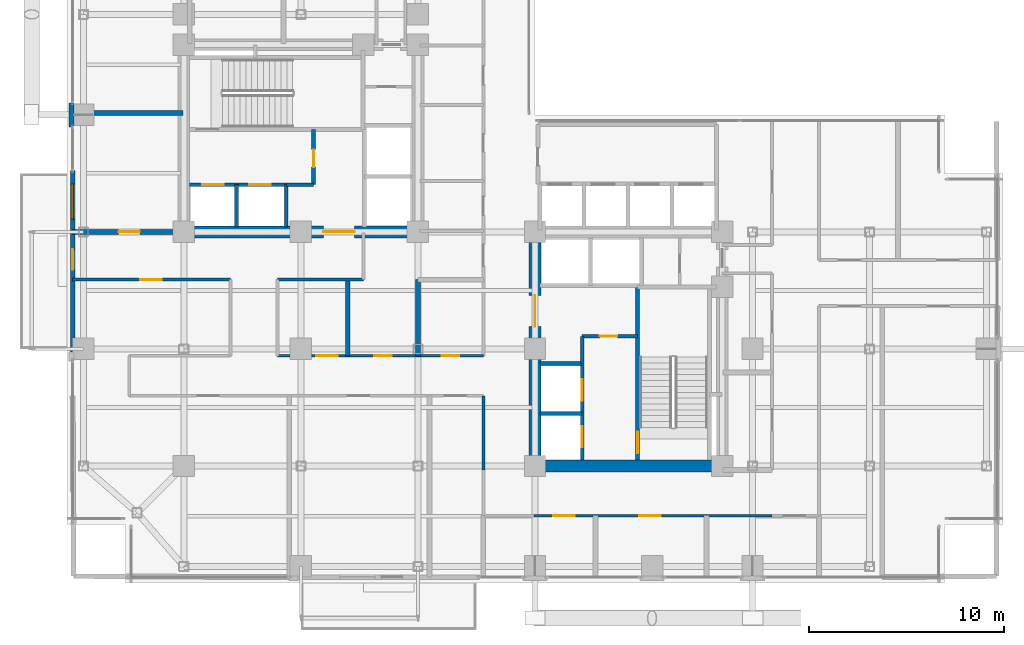
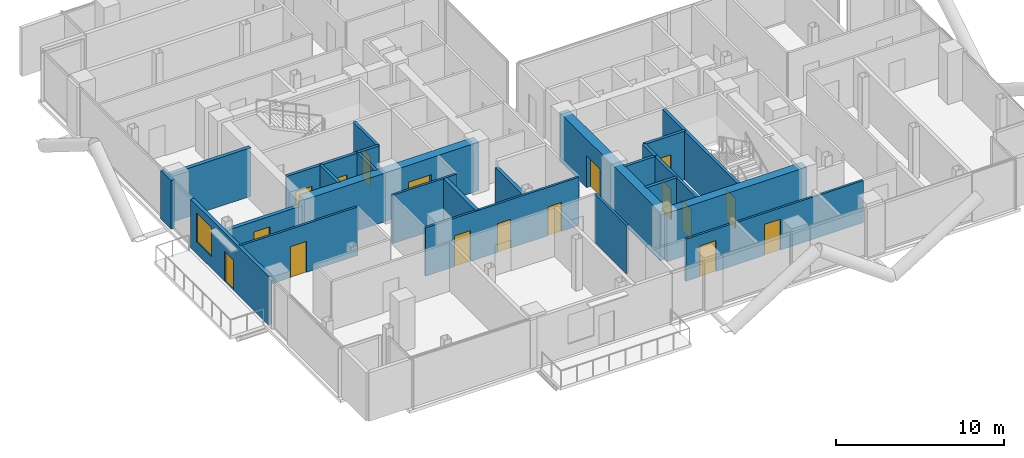
# One storey, part 19 of 24: 25 walls, 17 doors, 1 window, 18 openings.
"""IFC4 building model written with IfcOpenShell, lengths in metres."""

from ifc_helpers import new_model, si_unit, direction, frame, frame_2d, origin, place, context, subcontext, project, spatial, rectangle, extrude, material, layer, layer_set, type_object, element, fill, save


model = new_model("IFC4")

# Units and contexts
model_context = context("Model", 3, precision=1e-05, world=origin(), true_north=direction((0.0, 1.0)))
body_context = subcontext(model_context, "Body", "Model", "MODEL_VIEW")
ifc_project = project(units=[si_unit("LENGTHUNIT", "METRE"), si_unit("AREAUNIT", "SQUARE_METRE"), si_unit("VOLUMEUNIT", "CUBIC_METRE"), si_unit("PLANEANGLEUNIT", "RADIAN"), si_unit("MASSUNIT", "GRAM", prefix="KILO"), si_unit("THERMODYNAMICTEMPERATUREUNIT", "KELVIN"), si_unit("POWERUNIT", "WATT")], contexts=[model_context])

# Site, building, storey
site_placement = place(None, origin())
site = spatial("IfcSite", under=ifc_project, at=site_placement, CompositionType="ELEMENT")
building_placement = place(site_placement, origin())
building = spatial("IfcBuilding", under=site, at=building_placement, Name="Svarakhadi Broadcast Tower", CompositionType="ELEMENT")
storey_placement = place(building_placement, frame((0.0, 0.0, 130.64990234375)))
storey = spatial("IfcBuildingStorey", under=building, at=storey_placement, Name="L31", CompositionType="ELEMENT", Elevation=130.64990234375)

# Walls
ifc_material_1 = material(Name="Double-Stud Acoustic Studio Partition STC-62", Category="gypsum")
ifc_layer_1 = layer(ifc_material_1, 0.25)
ifc_layer_set_1 = layer_set([ifc_layer_1], Name="Double-Stud Acoustic Studio Partition STC-62")
wall_type_1 = type_object("IfcWallType", Name="Wall_Acoust_250", PredefinedType="PARTITIONING", material=ifc_layer_set_1)
wall_1_placement = place(storey_placement, frame((14.39990234375, 11.64990234375, 0.0), z_axis=(0.0, 0.0, 1.0), x_axis=(0.0, 1.0, 0.0)))
element("IfcWall", 1, at=wall_1_placement, inside=storey, type_object=wall_type_1, Name="L31 Acoustic Huddle Booth Wall", PredefinedType="PARTITIONING", context=body_context, shape_type="SweptSolid", body=[
    extrude(rectangle(XDim=3.900146484375, YDim=0.25, at=frame_2d((1.9501953125, 0.0))), origin(), (0.0, 0.0, 1.0), 3.525146484375),
])
wall_2_placement = place(storey_placement, frame((18.0, 11.64990234375, 0.0), z_axis=(0.0, 0.0, 1.0), x_axis=(0.0, 1.0, 0.0)))
element("IfcWall", 2, at=wall_2_placement, inside=storey, type_object=wall_type_1, Name="L31 Tea Bar Pantry Wall", PredefinedType="PARTITIONING", context=body_context, shape_type="SweptSolid", body=[
    extrude(rectangle(XDim=3.900146484375, YDim=0.25, at=frame_2d((1.9501953125, 0.0))), origin(), (0.0, 0.0, 1.0), 3.01708984375),
])

# Wall, opening, door
wall_3_placement = place(storey_placement, frame((0.300048828125, 18.0, 0.0), z_axis=(0.0, 0.0, 1.0), x_axis=(1.0, 0.0, 0.0)))
wall_3 = element("IfcWall", 3, at=wall_3_placement, inside=storey, type_object=wall_type_1, Name="L31 Arabian Sea Executive Studio Wall", PredefinedType="PARTITIONING", context=body_context, shape_type="SweptSolid", body=[
    extrude(rectangle(XDim=5.64990234375, YDim=0.25, at=frame_2d((2.824951171875, 0.0))), origin(), (0.0, 0.0, 1.0), 3.01708984375),
])
opening_1_placement = place(wall_3_placement, frame((2.35009765625, 0.0, 0.0)))
opening_1 = element("IfcOpeningElement", 4, at=opening_1_placement, cuts=wall_3, Name="Opening D-11", PredefinedType="OPENING", context=body_context, shape_type="SweptSolid", body=[
    extrude(rectangle(XDim=1.10009765625, YDim=2.25, at=frame_2d((0.550048828125, 1.125))), frame((0.0, 0.135009765625, 0.0), z_axis=(0.0, -1.0, 0.0), x_axis=(1.0, 0.0, 0.0)), (0.0, 0.0, 1.0), 0.27001953125),
])
ifc_material_2 = material(Name="Solid-Core Teak Veneer Acoustic Timber Leaf", Category="wood")
door_type_1 = type_object("IfcDoorType", Name="Door_Acoust_D11", OperationType="SINGLE_SWING_RIGHT", PredefinedType="DOOR", material=ifc_material_2)
door_1_placement = place(opening_1_placement, origin())
door_1 = element("IfcDoor", 5, at=door_1_placement, inside=storey, type_object=door_type_1, Name="L31 Arabian Sea Executive Studio Door", OperationType="SINGLE_SWING_RIGHT", OverallHeight=2.25, OverallWidth=1.10009765625, PredefinedType="DOOR", context=body_context, shape_type="SweptSolid", body=[
    extrude(rectangle(XDim=1.10009765625, YDim=2.25, at=frame_2d((0.550048828125, 1.125))), frame((0.0, 0.02490234375, 0.0), z_axis=(0.0, -1.0, 0.0), x_axis=(1.0, 0.0, 0.0)), (0.0, 0.0, 1.0), 0.050048828125),
])
fill(opening_1, door_1)

# Wall
wall_4_placement = place(storey_placement, frame((0.300048828125, 24.10009765625, 0.0), z_axis=(0.0, 0.0, 1.0), x_axis=(1.0, 0.0, 0.0)))
element("IfcWall", 6, at=wall_4_placement, inside=storey, type_object=wall_type_1, Name="L31 Arabian Sea Executive Studio Wall", PredefinedType="PARTITIONING", context=body_context, shape_type="SweptSolid", body=[
    extrude(rectangle(XDim=5.64990234375, YDim=0.25, at=frame_2d((2.824951171875, 0.0))), origin(), (0.0, 0.0, 1.0), 3.525146484375),
])

# Wall, openings, door, window
ifc_material_3 = material(Name="Concrete C40/50 (IS 456 M50)", Category="concrete")
ifc_layer_2 = layer(ifc_material_3, 0.239990234375)
ifc_layer_set_2 = layer_set([ifc_layer_2], Name="Concrete C40/50 (IS 456 M50)")
wall_type_2 = type_object("IfcWallType", Name="Wall_Ext_240", PredefinedType="SOLIDWALL", material=ifc_layer_set_2)
wall_5_placement = place(storey_placement, frame((0.300048828125, 11.85498046875, 0.0), z_axis=(0.0, 0.0, 1.0), x_axis=(0.0, 1.0, 0.0)))
wall_5 = element("IfcWall", 7, at=wall_5_placement, inside=storey, type_object=wall_type_2, Name="L31 West Tree Balcony Spandrel Wall", PredefinedType="SOLIDWALL", context=body_context, shape_type="SweptSolid", body=[
    extrude(rectangle(XDim=9.2900390625, YDim=0.239990234375, at=frame_2d((4.64501953125, 0.0))), origin(), (0.0, 0.0, 1.0), 3.525146484375),
])
opening_2_placement = place(wall_5_placement, frame((4.199951171875, 0.0, 0.0)))
opening_2 = element("IfcOpeningElement", 8, at=opening_2_placement, cuts=wall_5, Name="Opening ED-06", PredefinedType="OPENING", context=body_context, shape_type="SweptSolid", body=[
    extrude(rectangle(XDim=1.050048828125, YDim=2.199951171875, at=frame_2d((0.52490234375, 1.10009765625))), frame((0.0, 0.1298828125, 0.0), z_axis=(0.0, -1.0, 0.0), x_axis=(1.0, 0.0, 0.0)), (0.0, 0.0, 1.0), 0.260009765625),
])
opening_3_placement = place(wall_5_placement, frame((6.800048828125, 0.0, 0.85009765625)))
opening_3 = element("IfcOpeningElement", 9, at=opening_3_placement, cuts=wall_5, Name="Opening WN-02", PredefinedType="OPENING", context=body_context, shape_type="SweptSolid", body=[
    extrude(rectangle(XDim=1.800048828125, YDim=2.10009765625, at=frame_2d((0.89990234375, 1.050048828125))), frame((0.0, 0.1298828125, 0.0), z_axis=(0.0, -1.0, 0.0), x_axis=(1.0, 0.0, 0.0)), (0.0, 0.0, 1.0), 0.260009765625),
])
ifc_material_4 = material(Name="Anodised Bronze Aluminium AA 6063-T6", Category="aluminium")
door_type_2 = type_object("IfcDoorType", Name="Door_Ext_ED06", OperationType="SINGLE_SWING_RIGHT", PredefinedType="DOOR", material=ifc_material_4)
door_2_placement = place(opening_2_placement, origin())
door_2 = element("IfcDoor", 10, at=door_2_placement, inside=storey, type_object=door_type_2, Name="L31 West Tree Balcony Door", OperationType="SINGLE_SWING_RIGHT", OverallHeight=2.199951171875, OverallWidth=1.050048828125, PredefinedType="DOOR", context=body_context, shape_type="SweptSolid", body=[
    extrude(rectangle(XDim=1.050048828125, YDim=2.199951171875, at=frame_2d((0.52490234375, 1.10009765625))), frame((0.0, 0.02490234375, 0.0), z_axis=(0.0, -1.0, 0.0), x_axis=(1.0, 0.0, 0.0)), (0.0, 0.0, 1.0), 0.050048828125),
])
fill(opening_2, door_2)
ifc_material_5 = material(Name="Double Low-E Laminated Acoustic Glass IGU 36 mm", Category="glass")
window_type = type_object("IfcWindowType", Name="Win_Fixed_WN02", PartitioningType="SINGLE_PANEL", PredefinedType="WINDOW", material=ifc_material_5)
window_placement = place(opening_3_placement, origin())
window = element("IfcWindow", 11, at=window_placement, inside=storey, type_object=window_type, Name="L31 West Tree Balcony Window", OverallHeight=2.10009765625, OverallWidth=1.800048828125, PartitioningType="SINGLE_PANEL", PredefinedType="WINDOW", context=body_context, shape_type="SweptSolid", body=[
    extrude(rectangle(XDim=1.800048828125, YDim=2.10009765625, at=frame_2d((0.89990234375, 1.050048828125))), frame((0.0, 0.030029296875, 0.0), z_axis=(0.0, -1.0, 0.0), x_axis=(1.0, 0.0, 0.0)), (0.0, 0.0, 1.0), 0.06005859375),
])
fill(opening_3, window)

# Wall
wall_6_placement = place(storey_placement, frame((0.239990234375, 23.385009765625, 0.0), z_axis=(0.0, 0.0, 1.0), x_axis=(0.0, 1.0, 0.0)))
element("IfcWall", 12, at=wall_6_placement, inside=storey, type_object=wall_type_2, Name="L31 Perimeter Bronze Spandrel Closure Wall 02", PredefinedType="SOLIDWALL", context=body_context, shape_type="SweptSolid", body=[
    extrude(rectangle(XDim=1.22998046875, YDim=0.239990234375, at=frame_2d((0.614990234375, 0.0))), origin(), (0.0, 0.0, 1.0), 3.525146484375),
])

# Wall, openings, doors
ifc_material_6 = material(Name="Autoclaved Aerated Concrete Blockwork 150 mm", Category="masonry")
ifc_layer_3 = layer(ifc_material_6, 0.14990234375)
ifc_layer_set_3 = layer_set([ifc_layer_3], Name="Autoclaved Aerated Concrete Blockwork 150 mm")
wall_type_3 = type_object("IfcWallType", Name="Wall_Part_150", PredefinedType="PARTITIONING", material=ifc_layer_set_3)
wall_7_placement = place(storey_placement, frame((36.14990234375, 3.449951171875, 0.0), z_axis=(0.0, 0.0, 1.0), x_axis=(-1.0, 0.0, 0.0)))
wall_7 = element("IfcWall", 13, at=wall_7_placement, inside=storey, type_object=wall_type_3, Name="L31 Zone 2/3 Corridor Wall", PredefinedType="PARTITIONING", context=body_context, shape_type="SweptSolid", body=[
    extrude(rectangle(XDim=12.199951171875, YDim=0.14990234375, at=frame_2d((6.10009765625, 0.0))), origin(), (0.0, 0.0, 1.0), 3.067138671875),
])
opening_4_placement = place(wall_7_placement, frame((10.125, 0.0, 0.0)))
opening_4 = element("IfcOpeningElement", 14, at=opening_4_placement, cuts=wall_7, Name="Opening D-11", PredefinedType="OPENING", context=body_context, shape_type="SweptSolid", body=[
    extrude(rectangle(XDim=1.10009765625, YDim=2.25, at=frame_2d((0.550048828125, 1.125))), frame((0.0, 0.0849609375, 0.0), z_axis=(0.0, -1.0, 0.0), x_axis=(1.0, 0.0, 0.0)), (0.0, 0.0, 1.0), 0.169921875),
])
opening_5_placement = place(wall_7_placement, frame((5.699951171875, 0.0, 0.0)))
opening_5 = element("IfcOpeningElement", 15, at=opening_5_placement, cuts=wall_7, Name="Opening D-10", PredefinedType="OPENING", context=body_context, shape_type="SweptSolid", body=[
    extrude(rectangle(XDim=1.10009765625, YDim=2.25, at=frame_2d((0.550048828125, 1.125))), frame((0.0, 0.0849609375, 0.0), z_axis=(0.0, -1.0, 0.0), x_axis=(1.0, 0.0, 0.0)), (0.0, 0.0, 1.0), 0.169921875),
])
door_type_3 = type_object("IfcDoorType", Name="Door_Acoust_D10", OperationType="SINGLE_SWING_LEFT", PredefinedType="DOOR", material=ifc_material_2)
door_3_placement = place(opening_5_placement, origin())
door_3 = element("IfcDoor", 16, at=door_3_placement, inside=storey, type_object=door_type_3, Name="L31 Client Preview Briefing Room Door", OperationType="SINGLE_SWING_LEFT", OverallHeight=2.25, OverallWidth=1.10009765625, PredefinedType="DOOR", context=body_context, shape_type="SweptSolid", body=[
    extrude(rectangle(XDim=1.10009765625, YDim=2.25, at=frame_2d((0.550048828125, 1.125))), frame((0.0, 0.02490234375, 0.0), z_axis=(0.0, -1.0, 0.0), x_axis=(1.0, 0.0, 0.0)), (0.0, 0.0, 1.0), 0.050048828125),
])
fill(opening_5, door_3)
door_4_placement = place(opening_4_placement, origin())
door_4 = element("IfcDoor", 17, at=door_4_placement, inside=storey, type_object=door_type_1, Name="L31 Harbour Front Production Office Door", OperationType="SINGLE_SWING_RIGHT", OverallHeight=2.25, OverallWidth=1.10009765625, PredefinedType="DOOR", context=body_context, shape_type="SweptSolid", body=[
    extrude(rectangle(XDim=1.10009765625, YDim=2.25, at=frame_2d((0.550048828125, 1.125))), frame((0.0, 0.02490234375, 0.0), z_axis=(0.0, -1.0, 0.0), x_axis=(1.0, 0.0, 0.0)), (0.0, 0.0, 1.0), 0.050048828125),
])
fill(opening_4, door_4)

# Wall
wall_8_placement = place(storey_placement, frame((21.35009765625, 5.800048828125, 0.0), z_axis=(0.0, 0.0, 1.0), x_axis=(0.0, 1.0, 0.0)))
element("IfcWall", 18, at=wall_8_placement, inside=storey, type_object=wall_type_3, Name="L31 Zone 2/3 Corridor Wall", PredefinedType="PARTITIONING", context=body_context, shape_type="SweptSolid", body=[
    extrude(rectangle(XDim=3.800048828125, YDim=0.14990234375, at=frame_2d((1.89990234375, 0.0))), origin(), (0.0, 0.0, 1.0), 3.525146484375),
])

# Wall, opening, door
wall_9_placement = place(storey_placement, frame((8.39990234375, 15.550048828125, 0.0), z_axis=(0.0, 0.0, 1.0), x_axis=(-1.0, 0.0, 0.0)))
wall_9 = element("IfcWall", 19, at=wall_9_placement, inside=storey, type_object=wall_type_3, Name="L31 Zone 2/3 Corridor Wall", PredefinedType="PARTITIONING", context=body_context, shape_type="SweptSolid", body=[
    extrude(rectangle(XDim=8.099853515625, YDim=0.14990234375, at=frame_2d((4.0498046875, 0.0))), origin(), (0.0, 0.0, 1.0), 3.525146484375),
])
opening_6_placement = place(wall_9_placement, frame((3.52490234375, 0.0, 0.0)))
opening_6 = element("IfcOpeningElement", 20, at=opening_6_placement, cuts=wall_9, Name="Opening D-10", PredefinedType="OPENING", context=body_context, shape_type="SweptSolid", body=[
    extrude(rectangle(XDim=1.10009765625, YDim=2.25, at=frame_2d((0.550048828125, 1.125))), frame((0.0, 0.0849609375, 0.0), z_axis=(0.0, -1.0, 0.0), x_axis=(1.0, 0.0, 0.0)), (0.0, 0.0, 1.0), 0.169921875),
])
door_5_placement = place(opening_6_placement, origin())
door_5 = element("IfcDoor", 21, at=door_5_placement, inside=storey, type_object=door_type_3, Name="L31 VIP Talent Green Lounge Door", OperationType="SINGLE_SWING_LEFT", OverallHeight=2.25, OverallWidth=1.10009765625, PredefinedType="DOOR", context=body_context, shape_type="SweptSolid", body=[
    extrude(rectangle(XDim=1.10009765625, YDim=2.25, at=frame_2d((0.550048828125, 1.125))), frame((0.0, 0.02490234375, 0.0), z_axis=(0.0, -1.0, 0.0), x_axis=(1.0, 0.0, 0.0)), (0.0, 0.0, 1.0), 0.050048828125),
])
fill(opening_6, door_5)

# Wall
wall_10_placement = place(storey_placement, frame((15.199951171875, 15.550048828125, 0.0), z_axis=(0.0, 0.0, 1.0), x_axis=(-1.0, 0.0, 0.0)))
element("IfcWall", 22, at=wall_10_placement, inside=storey, type_object=wall_type_3, Name="L31 Zone 2/3 Corridor Wall", PredefinedType="PARTITIONING", context=body_context, shape_type="SweptSolid", body=[
    extrude(rectangle(XDim=4.39990234375, YDim=0.14990234375, at=frame_2d((2.199951171875, 0.0))), origin(), (0.0, 0.0, 1.0), 3.525146484375),
])

# Wall, openings, doors
wall_11_placement = place(storey_placement, frame((10.800048828125, 11.64990234375, 0.0), z_axis=(0.0, 0.0, 1.0), x_axis=(1.0, 0.0, 0.0)))
wall_11 = element("IfcWall", 23, at=wall_11_placement, inside=storey, type_object=wall_type_3, Name="L31 Zone 2/3 Corridor Wall", PredefinedType="PARTITIONING", context=body_context, shape_type="SweptSolid", body=[
    extrude(rectangle(XDim=10.550048828125, YDim=0.14990234375, at=frame_2d((5.27490234375, 0.0))), origin(), (0.0, 0.0, 1.0), 3.525146484375),
])
opening_7_placement = place(wall_11_placement, frame((1.97998046875, 0.0, 0.0)))
opening_7 = element("IfcOpeningElement", 24, at=opening_7_placement, cuts=wall_11, Name="Opening D-11", PredefinedType="OPENING", context=body_context, shape_type="SweptSolid", body=[
    extrude(rectangle(XDim=1.10009765625, YDim=2.25, at=frame_2d((0.550048828125, 1.125))), frame((0.0, 0.0849609375, 0.0), z_axis=(0.0, -1.0, 0.0), x_axis=(1.0, 0.0, 0.0)), (0.0, 0.0, 1.0), 0.169921875),
])
opening_8_placement = place(wall_11_placement, frame((4.949951171875, 0.0, 0.0)))
opening_8 = element("IfcOpeningElement", 25, at=opening_8_placement, cuts=wall_11, Name="Opening D-12", PredefinedType="OPENING", context=body_context, shape_type="SweptSolid", body=[
    extrude(rectangle(XDim=0.89990234375, YDim=2.10009765625, at=frame_2d((0.449951171875, 1.050048828125))), frame((0.0, 0.0849609375, 0.0), z_axis=(0.0, -1.0, 0.0), x_axis=(1.0, 0.0, 0.0)), (0.0, 0.0, 1.0), 0.169921875),
])
opening_9_placement = place(wall_11_placement, frame((8.425048828125, 0.0, 0.0)))
opening_9 = element("IfcOpeningElement", 26, at=opening_9_placement, cuts=wall_11, Name="Opening D-13", PredefinedType="OPENING", context=body_context, shape_type="SweptSolid", body=[
    extrude(rectangle(XDim=0.89990234375, YDim=2.10009765625, at=frame_2d((0.449951171875, 1.050048828125))), frame((0.0, 0.0849609375, 0.0), z_axis=(0.0, -1.0, 0.0), x_axis=(1.0, 0.0, 0.0)), (0.0, 0.0, 1.0), 0.169921875),
])
door_6_placement = place(opening_7_placement, origin())
door_6 = element("IfcDoor", 27, at=door_6_placement, inside=storey, type_object=door_type_1, Name="L31 Acoustic Huddle Booth Door", OperationType="SINGLE_SWING_RIGHT", OverallHeight=2.25, OverallWidth=1.10009765625, PredefinedType="DOOR", context=body_context, shape_type="SweptSolid", body=[
    extrude(rectangle(XDim=1.10009765625, YDim=2.25, at=frame_2d((0.550048828125, 1.125))), frame((0.0, 0.02490234375, 0.0), z_axis=(0.0, -1.0, 0.0), x_axis=(1.0, 0.0, 0.0)), (0.0, 0.0, 1.0), 0.050048828125),
])
fill(opening_7, door_6)
door_type_4 = type_object("IfcDoorType", Name="Door_Closet_D13", OperationType="SINGLE_SWING_RIGHT", PredefinedType="DOOR", material=ifc_material_2)
door_7_placement = place(opening_9_placement, origin())
door_7 = element("IfcDoor", 28, at=door_7_placement, inside=storey, type_object=door_type_4, Name="L31 Accessible Floor Washroom WC Door", OperationType="SINGLE_SWING_RIGHT", OverallHeight=2.10009765625, OverallWidth=0.89990234375, PredefinedType="DOOR", context=body_context, shape_type="SweptSolid", body=[
    extrude(rectangle(XDim=0.89990234375, YDim=2.10009765625, at=frame_2d((0.449951171875, 1.050048828125))), frame((0.0, 0.02490234375, 0.0), z_axis=(0.0, -1.0, 0.0), x_axis=(1.0, 0.0, 0.0)), (0.0, 0.0, 1.0), 0.050048828125),
])
fill(opening_9, door_7)
door_type_5 = type_object("IfcDoorType", Name="Door_WC_D01", OperationType="SINGLE_SWING_LEFT", PredefinedType="DOOR", material=ifc_material_2)
door_8_placement = place(opening_8_placement, origin())
door_8 = element("IfcDoor", 29, at=door_8_placement, inside=storey, type_object=door_type_5, Name="L31 Tea Bar Pantry Door", OperationType="SINGLE_SWING_LEFT", OverallHeight=2.10009765625, OverallWidth=0.89990234375, PredefinedType="DOOR", context=body_context, shape_type="SweptSolid", body=[
    extrude(rectangle(XDim=0.89990234375, YDim=2.10009765625, at=frame_2d((0.449951171875, 1.050048828125))), frame((0.0, 0.02490234375, 0.0), z_axis=(0.0, -1.0, 0.0), x_axis=(1.0, 0.0, 0.0)), (0.0, 0.0, 1.0), 0.050048828125),
])
fill(opening_8, door_8)

# Wall, opening, door
ifc_material_7 = material(Name="Concrete C50/60 (IS 456 M60)", Category="concrete")
ifc_layer_4 = layer(ifc_material_7, 0.199951171875)
ifc_layer_set_4 = layer_set([ifc_layer_4], Name="Concrete C50/60 (IS 456 M60)")
wall_type_4 = type_object("IfcWallType", Name="Wall_Shear_200", PredefinedType="SHEAR", material=ifc_layer_set_4)
wall_12_placement = place(storey_placement, frame((29.260009765625, 6.300048828125, 0.0), z_axis=(0.0, 0.0, 1.0), x_axis=(0.0, 1.0, 0.0)))
wall_12 = element("IfcWall", 30, at=wall_12_placement, inside=storey, type_object=wall_type_4, Name="L31 Stair ST-02 West RC Shaft Wall", PredefinedType="SHEAR", context=body_context, shape_type="SweptSolid", body=[
    extrude(rectangle(XDim=8.8798828125, YDim=0.199951171875, at=frame_2d((4.43994140625, 0.0))), origin(), (0.0, 0.0, 1.0), 3.525146484375),
])
opening_10_placement = place(wall_12_placement, frame((0.35009765625, 0.0, 0.0)))
opening_10 = element("IfcOpeningElement", 31, at=opening_10_placement, cuts=wall_12, Name="Opening D-02", PredefinedType="OPENING", context=body_context, shape_type="SweptSolid", body=[
    extrude(rectangle(XDim=1.10009765625, YDim=2.199951171875, at=frame_2d((0.550048828125, 1.10009765625))), frame((0.0, 0.10986328125, 0.0), z_axis=(0.0, -1.0, 0.0), x_axis=(1.0, 0.0, 0.0)), (0.0, 0.0, 1.0), 0.219970703125),
])
ifc_material_8 = material(Name="Galvanised Powder-Coated Fire-Rated Steel Leaf", Category="steel")
door_type_6 = type_object("IfcDoorType", Name="Door_Stair_D02", OperationType="SINGLE_SWING_RIGHT", PredefinedType="DOOR", material=ifc_material_8)
door_9_placement = place(opening_10_placement, origin())
door_9 = element("IfcDoor", 32, at=door_9_placement, inside=storey, type_object=door_type_6, Name="L31 Protected Exit Stair ST-02 Fire Door", OperationType="SINGLE_SWING_RIGHT", OverallHeight=2.199951171875, OverallWidth=1.10009765625, PredefinedType="DOOR", context=body_context, shape_type="SweptSolid", body=[
    extrude(rectangle(XDim=1.10009765625, YDim=2.199951171875, at=frame_2d((0.550048828125, 1.10009765625))), frame((0.0, 0.02490234375, 0.0), z_axis=(0.0, -1.0, 0.0), x_axis=(1.0, 0.0, 0.0)), (0.0, 0.0, 1.0), 0.050048828125),
])
fill(opening_10, door_9)

# Wall, openings, doors
wall_13_placement = place(storey_placement, frame((6.300048828125, 20.419921875, 0.0), z_axis=(0.0, 0.0, 1.0), x_axis=(1.0, 0.0, 0.0)))
wall_13 = element("IfcWall", 33, at=wall_13_placement, inside=storey, type_object=wall_type_4, Name="L31 Firefighting Lift LF-01/02 Shaft Wall", PredefinedType="SHEAR", context=body_context, shape_type="SweptSolid", body=[
    extrude(rectangle(XDim=4.949951171875, YDim=0.199951171875, at=frame_2d((2.47509765625, 0.0))), origin(), (0.0, 0.0, 1.0), 3.525146484375),
])
opening_11_placement = place(wall_13_placement, frame((0.64990234375, 0.0, 0.0)))
opening_11 = element("IfcOpeningElement", 34, at=opening_11_placement, cuts=wall_13, Name="Opening LD-01", PredefinedType="OPENING", context=body_context, shape_type="SweptSolid", body=[
    extrude(rectangle(XDim=1.10009765625, YDim=2.199951171875, at=frame_2d((0.550048828125, 1.10009765625))), frame((0.0, 0.10986328125, 0.0), z_axis=(0.0, -1.0, 0.0), x_axis=(1.0, 0.0, 0.0)), (0.0, 0.0, 1.0), 0.219970703125),
])
opening_12_placement = place(wall_13_placement, frame((3.050048828125, 0.0, 0.0)))
opening_12 = element("IfcOpeningElement", 35, at=opening_12_placement, cuts=wall_13, Name="Opening LD-01", PredefinedType="OPENING", context=body_context, shape_type="SweptSolid", body=[
    extrude(rectangle(XDim=1.10009765625, YDim=2.199951171875, at=frame_2d((0.550048828125, 1.10009765625))), frame((0.0, 0.10986328125, 0.0), z_axis=(0.0, -1.0, 0.0), x_axis=(1.0, 0.0, 0.0)), (0.0, 0.0, 1.0), 0.219970703125),
])
door_type_7 = type_object("IfcDoorType", Name="Door_Lift_LD01", OperationType="SLIDING_TO_LEFT", PredefinedType="DOOR", material=ifc_material_8)
door_10_placement = place(opening_11_placement, origin())
door_10 = element("IfcDoor", 36, at=door_10_placement, inside=storey, type_object=door_type_7, Name="L31 Firefighting Lift LF-01 Landing Door", OperationType="SLIDING_TO_LEFT", OverallHeight=2.199951171875, OverallWidth=1.10009765625, PredefinedType="DOOR", context=body_context, shape_type="SweptSolid", body=[
    extrude(rectangle(XDim=1.10009765625, YDim=2.199951171875, at=frame_2d((0.550048828125, 1.10009765625))), frame((0.0, 0.02490234375, 0.0), z_axis=(0.0, -1.0, 0.0), x_axis=(1.0, 0.0, 0.0)), (0.0, 0.0, 1.0), 0.050048828125),
])
fill(opening_11, door_10)
door_11_placement = place(opening_12_placement, origin())
door_11 = element("IfcDoor", 37, at=door_11_placement, inside=storey, type_object=door_type_7, Name="L31 Firefighting Lift LF-02 Landing Door", OperationType="SLIDING_TO_LEFT", OverallHeight=2.199951171875, OverallWidth=1.10009765625, PredefinedType="DOOR", context=body_context, shape_type="SweptSolid", body=[
    extrude(rectangle(XDim=1.10009765625, YDim=2.199951171875, at=frame_2d((0.550048828125, 1.10009765625))), frame((0.0, 0.02490234375, 0.0), z_axis=(0.0, -1.0, 0.0), x_axis=(1.0, 0.0, 0.0)), (0.0, 0.0, 1.0), 0.050048828125),
])
fill(opening_12, door_11)

# Walls
for number, where, z_axis, x_axis, name in (
    (38, (8.699951171875, 18.25, 0.0), (0.0, 0.0, 1.0), (0.0, 1.0, 0.0), "L31 Firefighting Lift LF-01/02 Divider Wall"),
    (39, (11.25, 18.25, 0.0), (0.0, 0.0, 1.0), (0.0, 1.0, 0.0), "L31 Firefighting Lift LF-02 East Wall"),
):
    element("IfcWall", number, at=place(storey_placement, frame(where, z_axis=z_axis, x_axis=x_axis)), inside=storey, type_object=wall_type_4, Name=name, PredefinedType="SHEAR", context=body_context, shape_type="SweptSolid", body=[
        extrude(rectangle(XDim=2.169921875, YDim=0.199951171875, at=frame_2d((1.0849609375, 0.0))), origin(), (0.0, 0.0, 1.0), 3.525146484375),
    ])
wall_14_placement = place(storey_placement, frame((11.25, 20.419921875, 0.0), z_axis=(0.0, 0.0, 1.0), x_axis=(1.0, 0.0, 0.0)))
element("IfcWall", 40, at=wall_14_placement, inside=storey, type_object=wall_type_4, Name="L31 West Firefighting Lobby South Wall", PredefinedType="SHEAR", context=body_context, shape_type="SweptSolid", body=[
    extrude(rectangle(XDim=1.39990234375, YDim=0.199951171875, at=frame_2d((0.699951171875, 0.0))), origin(), (0.0, 0.0, 1.0), 3.525146484375),
])

# Wall, opening, door
wall_15_placement = place(storey_placement, frame((12.64990234375, 20.419921875, 0.0), z_axis=(0.0, 0.0, 1.0), x_axis=(0.0, 1.0, 0.0)))
wall_15 = element("IfcWall", 41, at=wall_15_placement, inside=storey, type_object=wall_type_4, Name="L31 West Firefighting Lobby East Wall", PredefinedType="SHEAR", context=body_context, shape_type="SweptSolid", body=[
    extrude(rectangle(XDim=2.840087890625, YDim=0.199951171875, at=frame_2d((1.419921875, 0.0))), origin(), (0.0, 0.0, 1.0), 3.525146484375),
])
opening_13_placement = place(wall_15_placement, frame((0.89990234375, 0.0, 0.0)))
opening_13 = element("IfcOpeningElement", 42, at=opening_13_placement, cuts=wall_15, Name="Opening D-03", PredefinedType="OPENING", context=body_context, shape_type="SweptSolid", body=[
    extrude(rectangle(XDim=0.89990234375, YDim=2.14990234375, at=frame_2d((0.449951171875, 1.074951171875))), frame((0.0, 0.10986328125, 0.0), z_axis=(0.0, -1.0, 0.0), x_axis=(1.0, 0.0, 0.0)), (0.0, 0.0, 1.0), 0.219970703125),
])
door_type_8 = type_object("IfcDoorType", Name="Door_Fire_D03", OperationType="SINGLE_SWING_LEFT", PredefinedType="DOOR", material=ifc_material_8)
door_12_placement = place(opening_13_placement, origin())
door_12 = element("IfcDoor", 43, at=door_12_placement, inside=storey, type_object=door_type_8, Name="L31 West Firefighting Lobby Fire Door", OperationType="SINGLE_SWING_LEFT", OverallHeight=2.14990234375, OverallWidth=0.89990234375, PredefinedType="DOOR", context=body_context, shape_type="SweptSolid", body=[
    extrude(rectangle(XDim=0.89990234375, YDim=2.14990234375, at=frame_2d((0.449951171875, 1.074951171875))), frame((0.0, 0.02490234375, 0.0), z_axis=(0.0, -1.0, 0.0), x_axis=(1.0, 0.0, 0.0)), (0.0, 0.0, 1.0), 0.050048828125),
])
fill(opening_13, door_12)

# Wall, openings, doors
wall_16_placement = place(storey_placement, frame((26.419921875, 6.300048828125, 0.0), z_axis=(0.0, 0.0, 1.0), x_axis=(0.0, 1.0, 0.0)))
wall_16 = element("IfcWall", 44, at=wall_16_placement, inside=storey, type_object=wall_type_4, Name="L31 Firefighting Lift LF-03/04 Shaft Wall", PredefinedType="SHEAR", context=body_context, shape_type="SweptSolid", body=[
    extrude(rectangle(XDim=4.949951171875, YDim=0.199951171875, at=frame_2d((2.47509765625, 0.0))), origin(), (0.0, 0.0, 1.0), 3.525146484375),
])
opening_14_placement = place(wall_16_placement, frame((0.64990234375, 0.0, 0.0)))
opening_14 = element("IfcOpeningElement", 45, at=opening_14_placement, cuts=wall_16, Name="Opening LD-01", PredefinedType="OPENING", context=body_context, shape_type="SweptSolid", body=[
    extrude(rectangle(XDim=1.10009765625, YDim=2.199951171875, at=frame_2d((0.550048828125, 1.10009765625))), frame((0.0, 0.10986328125, 0.0), z_axis=(0.0, -1.0, 0.0), x_axis=(1.0, 0.0, 0.0)), (0.0, 0.0, 1.0), 0.219970703125),
])
opening_15_placement = place(wall_16_placement, frame((3.050048828125, 0.0, 0.0)))
opening_15 = element("IfcOpeningElement", 46, at=opening_15_placement, cuts=wall_16, Name="Opening LD-01", PredefinedType="OPENING", context=body_context, shape_type="SweptSolid", body=[
    extrude(rectangle(XDim=1.10009765625, YDim=2.199951171875, at=frame_2d((0.550048828125, 1.10009765625))), frame((0.0, 0.10986328125, 0.0), z_axis=(0.0, -1.0, 0.0), x_axis=(1.0, 0.0, 0.0)), (0.0, 0.0, 1.0), 0.219970703125),
])
door_13_placement = place(opening_14_placement, origin())
door_13 = element("IfcDoor", 47, at=door_13_placement, inside=storey, type_object=door_type_7, Name="L31 Firefighting Lift LF-03 Landing Door", OperationType="SLIDING_TO_LEFT", OverallHeight=2.199951171875, OverallWidth=1.10009765625, PredefinedType="DOOR", context=body_context, shape_type="SweptSolid", body=[
    extrude(rectangle(XDim=1.10009765625, YDim=2.199951171875, at=frame_2d((0.550048828125, 1.10009765625))), frame((0.0, 0.02490234375, 0.0), z_axis=(0.0, -1.0, 0.0), x_axis=(1.0, 0.0, 0.0)), (0.0, 0.0, 1.0), 0.050048828125),
])
fill(opening_14, door_13)
door_14_placement = place(opening_15_placement, origin())
door_14 = element("IfcDoor", 48, at=door_14_placement, inside=storey, type_object=door_type_7, Name="L31 Firefighting Lift LF-04 Landing Door", OperationType="SLIDING_TO_LEFT", OverallHeight=2.199951171875, OverallWidth=1.10009765625, PredefinedType="DOOR", context=body_context, shape_type="SweptSolid", body=[
    extrude(rectangle(XDim=1.10009765625, YDim=2.199951171875, at=frame_2d((0.550048828125, 1.10009765625))), frame((0.0, 0.02490234375, 0.0), z_axis=(0.0, -1.0, 0.0), x_axis=(1.0, 0.0, 0.0)), (0.0, 0.0, 1.0), 0.050048828125),
])
fill(opening_15, door_14)

# Walls
for number, where, z_axis, x_axis, name in (
    (49, (24.25, 8.699951171875, 0.0), (0.0, 0.0, 1.0), (1.0, 0.0, 0.0), "L31 Firefighting Lift LF-03/04 Divider Wall"),
    (50, (24.25, 11.25, 0.0), (0.0, 0.0, 1.0), (1.0, 0.0, 0.0), "L31 Firefighting Lift LF-04 North Wall"),
):
    element("IfcWall", number, at=place(storey_placement, frame(where, z_axis=z_axis, x_axis=x_axis)), inside=storey, type_object=wall_type_4, Name=name, PredefinedType="SHEAR", context=body_context, shape_type="SweptSolid", body=[
        extrude(rectangle(XDim=2.169921875, YDim=0.199951171875, at=frame_2d((1.0849609375, 0.0))), origin(), (0.0, 0.0, 1.0), 3.525146484375),
    ])
wall_17_placement = place(storey_placement, frame((26.419921875, 11.25, 0.0), z_axis=(0.0, 0.0, 1.0), x_axis=(0.0, 1.0, 0.0)))
element("IfcWall", 51, at=wall_17_placement, inside=storey, type_object=wall_type_4, Name="L31 East Firefighting Lobby West Wall", PredefinedType="SHEAR", context=body_context, shape_type="SweptSolid", body=[
    extrude(rectangle(XDim=1.39990234375, YDim=0.199951171875, at=frame_2d((0.699951171875, 0.0))), origin(), (0.0, 0.0, 1.0), 3.525146484375),
])

# Wall, opening, door
wall_18_placement = place(storey_placement, frame((26.419921875, 12.64990234375, 0.0), z_axis=(0.0, 0.0, 1.0), x_axis=(1.0, 0.0, 0.0)))
wall_18 = element("IfcWall", 52, at=wall_18_placement, inside=storey, type_object=wall_type_4, Name="L31 East Firefighting Lobby North Wall", PredefinedType="SHEAR", context=body_context, shape_type="SweptSolid", body=[
    extrude(rectangle(XDim=2.840087890625, YDim=0.199951171875, at=frame_2d((1.419921875, 0.0))), origin(), (0.0, 0.0, 1.0), 3.525146484375),
])
opening_16_placement = place(wall_18_placement, frame((0.89990234375, 0.0, 0.0)))
opening_16 = element("IfcOpeningElement", 53, at=opening_16_placement, cuts=wall_18, Name="Opening D-04", PredefinedType="OPENING", context=body_context, shape_type="SweptSolid", body=[
    extrude(rectangle(XDim=0.89990234375, YDim=2.14990234375, at=frame_2d((0.449951171875, 1.074951171875))), frame((0.0, 0.10986328125, 0.0), z_axis=(0.0, -1.0, 0.0), x_axis=(1.0, 0.0, 0.0)), (0.0, 0.0, 1.0), 0.219970703125),
])
door_type_9 = type_object("IfcDoorType", Name="Door_Fire_D04", OperationType="SINGLE_SWING_RIGHT", PredefinedType="DOOR", material=ifc_material_8)
door_15_placement = place(opening_16_placement, origin())
door_15 = element("IfcDoor", 54, at=door_15_placement, inside=storey, type_object=door_type_9, Name="L31 East Firefighting Lobby Fire Door", OperationType="SINGLE_SWING_RIGHT", OverallHeight=2.14990234375, OverallWidth=0.89990234375, PredefinedType="DOOR", context=body_context, shape_type="SweptSolid", body=[
    extrude(rectangle(XDim=0.89990234375, YDim=2.14990234375, at=frame_2d((0.449951171875, 1.074951171875))), frame((0.0, 0.02490234375, 0.0), z_axis=(0.0, -1.0, 0.0), x_axis=(1.0, 0.0, 0.0)), (0.0, 0.0, 1.0), 0.050048828125),
])
fill(opening_16, door_15)

ifc_material_9 = material(Name="Concrete C60/75 (IS 456 M70)", Category="concrete")
ifc_layer_5 = layer(ifc_material_9, 0.60009765625)
ifc_layer_set_5 = layer_set([ifc_layer_5], Name="Concrete C60/75 (IS 456 M70)")
wall_type_5 = type_object("IfcWallType", Name="Wall_Shear_600", PredefinedType="SHEAR", material=ifc_layer_set_5)
wall_19_placement = place(storey_placement, frame((6.0, 18.0, 0.0), z_axis=(0.0, 0.0, 1.0), x_axis=(1.0, 0.0, 0.0)))
wall_19 = element("IfcWall", 55, at=wall_19_placement, inside=storey, type_object=wall_type_5, Name="L31 West Core South Shear Wall", PredefinedType="SHEAR", context=body_context, shape_type="SweptSolid", body=[
    extrude(rectangle(XDim=12.0, YDim=0.60009765625, at=frame_2d((6.0, 0.0))), origin(), (0.0, 0.0, 1.0), 3.525146484375),
])
opening_17_placement = place(wall_19_placement, frame((7.14990234375, 0.0, 0.0)))
opening_17 = element("IfcOpeningElement", 56, at=opening_17_placement, cuts=wall_19, Name="Opening D-05", PredefinedType="OPENING", context=body_context, shape_type="SweptSolid", body=[
    extrude(rectangle(XDim=1.60009765625, YDim=2.300048828125, at=frame_2d((0.800048828125, 1.14990234375))), frame((0.0, 0.31005859375, 0.0), z_axis=(0.0, -1.0, 0.0), x_axis=(1.0, 0.0, 0.0)), (0.0, 0.0, 1.0), 0.6201171875),
])
door_type_10 = type_object("IfcDoorType", Name="Door_Lobby_D05", OperationType="DOUBLE_DOOR_SLIDING", PredefinedType="DOOR", material=ifc_material_4)
door_16_placement = place(opening_17_placement, origin())
door_16 = element("IfcDoor", 57, at=door_16_placement, inside=storey, type_object=door_type_10, Name="L31 West Core Passenger Lift Lobby Entrance Door", OperationType="DOUBLE_DOOR_SLIDING", OverallHeight=2.300048828125, OverallWidth=1.60009765625, PredefinedType="DOOR", context=body_context, shape_type="SweptSolid", body=[
    extrude(rectangle(XDim=1.60009765625, YDim=2.300048828125, at=frame_2d((0.800048828125, 1.14990234375))), frame((0.0, 0.02490234375, 0.0), z_axis=(0.0, -1.0, 0.0), x_axis=(1.0, 0.0, 0.0)), (0.0, 0.0, 1.0), 0.050048828125),
])
fill(opening_17, door_16)

# Wall
wall_20_placement = place(storey_placement, frame((24.0, 6.0, 0.0), z_axis=(0.0, 0.0, 1.0), x_axis=(1.0, 0.0, 0.0)))
element("IfcWall", 58, at=wall_20_placement, inside=storey, type_object=wall_type_5, Name="L31 East Core South Shear Wall", PredefinedType="SHEAR", context=body_context, shape_type="SweptSolid", body=[
    extrude(rectangle(XDim=9.60009765625, YDim=0.60009765625, at=frame_2d((4.800048828125, 0.0))), origin(), (0.0, 0.0, 1.0), 3.525146484375),
])

# Wall, opening, door
wall_21_placement = place(storey_placement, frame((24.0, 6.0, 0.0), z_axis=(0.0, 0.0, 1.0), x_axis=(0.0, 1.0, 0.0)))
wall_21 = element("IfcWall", 59, at=wall_21_placement, inside=storey, type_object=wall_type_5, Name="L31 East Core West Shear Wall", PredefinedType="SHEAR", context=body_context, shape_type="SweptSolid", body=[
    extrude(rectangle(XDim=12.0, YDim=0.60009765625, at=frame_2d((6.0, 0.0))), origin(), (0.0, 0.0, 1.0), 3.525146484375),
])
opening_18_placement = place(wall_21_placement, frame((7.14990234375, 0.0, 0.0)))
opening_18 = element("IfcOpeningElement", 60, at=opening_18_placement, cuts=wall_21, Name="Opening D-05", PredefinedType="OPENING", context=body_context, shape_type="SweptSolid", body=[
    extrude(rectangle(XDim=1.60009765625, YDim=2.300048828125, at=frame_2d((0.800048828125, 1.14990234375))), frame((0.0, 0.31005859375, 0.0), z_axis=(0.0, -1.0, 0.0), x_axis=(1.0, 0.0, 0.0)), (0.0, 0.0, 1.0), 0.6201171875),
])
door_17_placement = place(opening_18_placement, origin())
door_17 = element("IfcDoor", 61, at=door_17_placement, inside=storey, type_object=door_type_10, Name="L31 East Core Passenger Lift Lobby Entrance Door", OperationType="DOUBLE_DOOR_SLIDING", OverallHeight=2.300048828125, OverallWidth=1.60009765625, PredefinedType="DOOR", context=body_context, shape_type="SweptSolid", body=[
    extrude(rectangle(XDim=1.60009765625, YDim=2.300048828125, at=frame_2d((0.800048828125, 1.14990234375))), frame((0.0, 0.02490234375, 0.0), z_axis=(0.0, -1.0, 0.0), x_axis=(1.0, 0.0, 0.0)), (0.0, 0.0, 1.0), 0.050048828125),
])
fill(opening_18, door_17)

save(model, "model.ifc")
